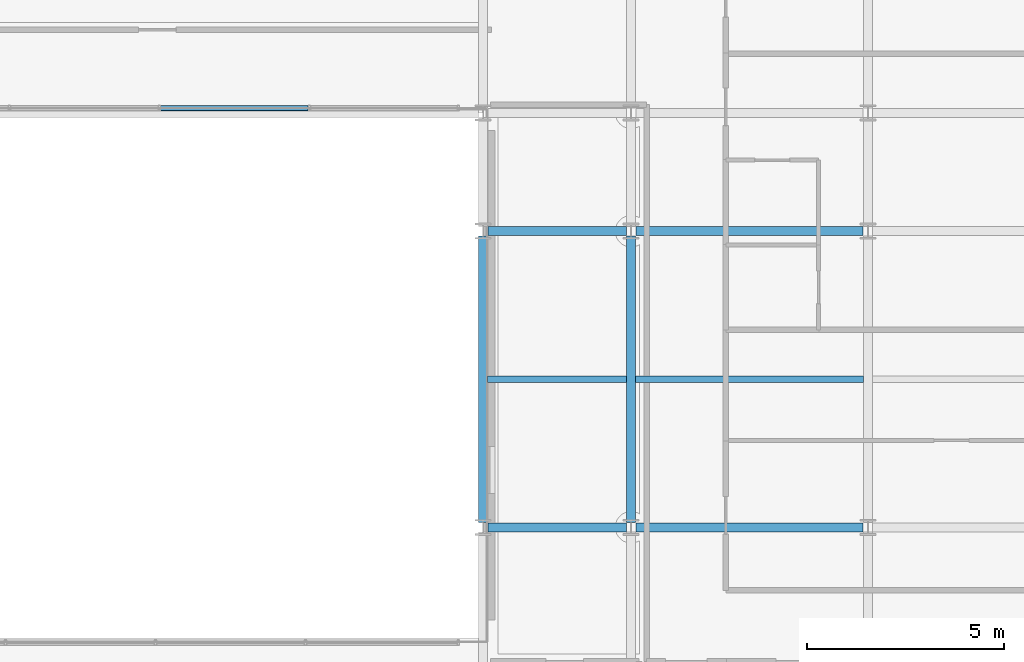
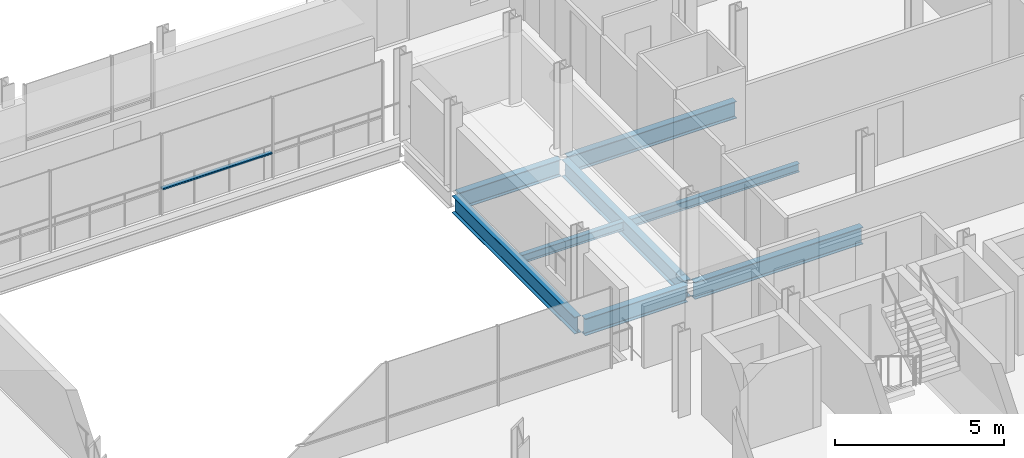
# One storey, part 18 of 40: 8 beams, 1 member, 1 element without a shape of its own.
"""IFC4 building model written with IfcOpenShell, lengths in metres."""

import ifcopenshell
import ifcopenshell.guid

model = None  # the IFC model being written
_history = None  # IfcOwnerHistory: only IFC2X3 demands one
_inside = {}  # id of a spatial element -> (the spatial element, [elements in it])
_under = {}  # id of a project, library or spatial element -> (it, [spatial elements below it])
_declared = {}  # id of a project -> (the project, [libraries it declares])
_typed = {}  # id of a type object -> (the type object, [elements of that type])
_made_of = {}  # id of a material, layer set ... -> (it, [elements and type objects made of it])


def new_model(schema):
    """Start an empty IFC model of exactly this schema.

    Asked for "IFC4X3", IfcOpenShell would pick the latest addendum, in which some entities
    have other attributes; the version numbers below select the first issue.
    IFC2X3 requires an IfcOwnerHistory on every rooted entity: one is made here for all.
    """
    global model, _history
    if schema == "IFC4X3":
        model = ifcopenshell.file(schema_version=(4, 3, 0, 0))
    else:
        model = ifcopenshell.file(schema=schema)
    _inside.clear()
    _under.clear()
    _declared.clear()
    _typed.clear()
    _made_of.clear()
    _history = None
    if model.schema == "IFC2X3":
        org = make("IfcOrganization", Name="unknown")
        user = make(
            "IfcPersonAndOrganization",
            ThePerson=make("IfcPerson", FamilyName="unknown"),
            TheOrganization=org,
        )
        app = make(
            "IfcApplication",
            ApplicationDeveloper=org,
            Version="unknown",
            ApplicationFullName="unknown",
            ApplicationIdentifier="unknown",
        )
        _history = make(
            "IfcOwnerHistory",
            OwningUser=user,
            OwningApplication=app,
            ChangeAction="ADDED",
            CreationDate=0,
        )
    return model


def make(cls, **values):
    """One entity of the class cls with the attributes given. An attribute that is None is left unset."""
    return model.create_entity(
        cls, **{name: value for name, value in values.items() if value is not None}
    )


def rooted(cls, **values):
    """An entity with a GlobalId (a new one), such as an element, a storey or a relation."""
    return make(cls, GlobalId=ifcopenshell.guid.new(), OwnerHistory=_history, **values)


def si_unit(unit_type, name, prefix=None):
    """IfcSIUnit, for example si_unit("LENGTHUNIT", "METRE", prefix="MILLI")."""
    return make("IfcSIUnit", UnitType=unit_type, Prefix=prefix, Name=name)


def assignment(units):
    """IfcUnitAssignment: the units of a project."""
    return None if units is None else make("IfcUnitAssignment", Units=units)


def point(xyz):
    """IfcCartesianPoint."""
    return None if xyz is None else make("IfcCartesianPoint", Coordinates=xyz)


def direction(xyz):
    """IfcDirection."""
    return None if xyz is None else make("IfcDirection", DirectionRatios=xyz)


def frame(location, z_axis=None, x_axis=None):
    """IfcAxis2Placement3D, a coordinate frame: its origin and axes. An axis left out is left unset."""
    return make(
        "IfcAxis2Placement3D",
        Location=point(location),
        Axis=direction(z_axis),
        RefDirection=direction(x_axis),
    )


def frame_2d(location, x_axis=None):
    """IfcAxis2Placement2D, a coordinate frame in the plane: its origin and x axis."""
    return make(
        "IfcAxis2Placement2D", Location=point(location), RefDirection=direction(x_axis)
    )


def origin():
    """The frame at (0, 0, 0) with its axes left unset."""
    return frame((0.0, 0.0, 0.0))


def origin_2d():
    """The frame at (0, 0) in the plane with its x axis left unset."""
    return frame_2d((0.0, 0.0))


def place(relative_to, where):
    """IfcLocalPlacement: puts the frame where relative to a parent placement (None: the world)."""
    return make(
        "IfcLocalPlacement", PlacementRelTo=relative_to, RelativePlacement=where
    )


def context(
    kind, dimensions, precision=None, world=None, true_north=None, identifier=None
):
    """IfcGeometricRepresentationContext, for example the 3D "Model" context."""
    return make(
        "IfcGeometricRepresentationContext",
        ContextIdentifier=identifier,
        ContextType=kind,
        CoordinateSpaceDimension=dimensions,
        Precision=precision,
        WorldCoordinateSystem=world,
        TrueNorth=true_north,
    )


def subcontext(parent, identifier, kind, view, scale=None):
    """IfcGeometricRepresentationSubContext, for example "Body" below "Model"."""
    return make(
        "IfcGeometricRepresentationSubContext",
        ContextIdentifier=identifier,
        ContextType=kind,
        ParentContext=parent,
        TargetScale=scale,
        TargetView=view,
    )


def project(units=None, contexts=None):
    """IfcProject with its units and contexts."""
    return rooted(
        "IfcProject",
        Name="project",
        RepresentationContexts=contexts,
        UnitsInContext=assignment(units),
    )


def spatial(cls, under=None, at=None, **own):
    """A site, building, storey or space (cls), placed at a placement, below another one or the project."""
    s = rooted(cls, ObjectPlacement=at, **own)
    if under is not None:
        _under.setdefault(under.id(), (under, []))[1].append(s)
    return s


def profile(cls, at=None, kind="AREA", **sizes):
    """A parametric profile (cls). Its sizes go by their IFC names, for example OverallWidth=200.0."""
    return make(cls, ProfileType=kind, Position=at, **sizes)


def hollow_rectangle(**sizes):
    """IfcRectangleHollowProfileDef."""
    return profile("IfcRectangleHollowProfileDef", **sizes)


def i_section(**sizes):
    """IfcIShapeProfileDef."""
    return profile("IfcIShapeProfileDef", **sizes)


def extrude(swept, where, along, depth):
    """IfcExtrudedAreaSolid: the profile swept, set in the frame where, extruded along a direction by depth."""
    return make(
        "IfcExtrudedAreaSolid",
        SweptArea=swept,
        Position=where,
        ExtrudedDirection=direction(along),
        Depth=depth,
    )


def shape(context_of_items, identifier, shape_type, items):
    """IfcShapeRepresentation: the items that make up one representation, for example the "Body"."""
    return make(
        "IfcShapeRepresentation",
        ContextOfItems=context_of_items,
        RepresentationIdentifier=identifier,
        RepresentationType=shape_type,
        Items=items,
    )


def material(Name=None, Category=None):
    """IfcMaterial."""
    return make("IfcMaterial", Name=Name, Category=Category)


def layer(
    of_material, thickness, ventilated=None, Name=None, Category=None, Priority=None
):
    """IfcMaterialLayer: one layer of a wall or slab, of a material (None: an air gap)."""
    return make(
        "IfcMaterialLayer",
        Material=of_material,
        LayerThickness=thickness,
        IsVentilated=ventilated,
        Name=Name,
        Category=Category,
        Priority=Priority,
    )


def layer_set(layers, Name=None):
    """IfcMaterialLayerSet."""
    return make("IfcMaterialLayerSet", MaterialLayers=layers, LayerSetName=Name)


def material_profile(
    of_material, cross_section, Name=None, Category=None, Priority=None
):
    """IfcMaterialProfile: a cross section and its material."""
    return make(
        "IfcMaterialProfile",
        Name=Name,
        Material=of_material,
        Profile=cross_section,
        Priority=Priority,
        Category=Category,
    )


def profile_set(profiles, Name=None, composite=None):
    """IfcMaterialProfileSet."""
    return make(
        "IfcMaterialProfileSet",
        Name=Name,
        MaterialProfiles=profiles,
        CompositeProfile=composite,
    )


def made_of(thing, what):
    """Note that an element or type object is made of a material, layer set ...; save() writes the relation."""
    if what is not None:
        _made_of.setdefault(what.id(), (what, []))[1].append(thing)
    return thing


def type_object(cls, material=None, **own):
    """A type object (cls), such as IfcWallType, which elements share."""
    return made_of(rooted(cls, **own), material)


def element(
    cls,
    number,
    at=None,
    inside=None,
    cuts=None,
    type_object=None,
    material=None,
    context=None,
    identifier="Body",
    shape_type=None,
    held_by="IfcProductDefinitionShape",
    body=None,
    shapes=None,
    **own,
):
    """One element of the class cls, such as IfcWall. Its Tag is "e" and its number.

    at: its placement. inside: the storey or other place that contains it. cuts: it is an
    opening in that element (IfcRelVoidsElement). A single representation is given by context,
    identifier, shape_type and body (its items); several are given by shapes. held_by: the class
    of the entity that holds the representations. save() writes the other relations.
    """
    e = rooted(cls, Tag="e%d" % number, ObjectPlacement=at, **own)
    if body is not None:
        shapes = [shape(context, identifier, shape_type, body)]
    if shapes is not None:
        e.Representation = make(held_by, Representations=shapes)
    if inside is not None:
        _inside.setdefault(inside.id(), (inside, []))[1].append(e)
    if cuts is not None:
        rooted(
            "IfcRelVoidsElement", RelatingBuildingElement=cuts, RelatedOpeningElement=e
        )
    if type_object is not None:
        _typed.setdefault(type_object.id(), (type_object, []))[1].append(e)
    return made_of(e, material)


def aggregate(whole, parts):
    """IfcRelAggregates: a whole, such as a stair, and the parts it consists of."""
    return rooted("IfcRelAggregates", RelatingObject=whole, RelatedObjects=parts)


def save(model, path):
    """Write the relations noted so far, then the file.

    IfcRelAggregates (storeys below a building ...), IfcRelContainedInSpatialStructure (elements
    in a storey), IfcRelDefinesByType, IfcRelAssociatesMaterial and IfcRelDeclares: one each for
    every whole, place, type object, material and project.
    """
    for whole, parts in _under.values():
        aggregate(whole, parts)
    for where, things in _inside.values():
        rooted(
            "IfcRelContainedInSpatialStructure",
            RelatedElements=things,
            RelatingStructure=where,
        )
    for kind, things in _typed.values():
        rooted("IfcRelDefinesByType", RelatedObjects=things, RelatingType=kind)
    for what, things in _made_of.values():
        rooted("IfcRelAssociatesMaterial", RelatedObjects=things, RelatingMaterial=what)
    for by, libraries in _declared.values():
        rooted("IfcRelDeclares", RelatingContext=by, RelatedDefinitions=libraries)
    model.write(path)


model = new_model("IFC4")

# Units and contexts
model_context = context("Model", 3, precision=1e-05, world=origin(), true_north=direction((0.0, 1.0)))
body_context = subcontext(model_context, "Body", "Model", "MODEL_VIEW")
ifc_project = project(units=[si_unit("LENGTHUNIT", "METRE"), si_unit("AREAUNIT", "SQUARE_METRE"), si_unit("VOLUMEUNIT", "CUBIC_METRE"), si_unit("PLANEANGLEUNIT", "RADIAN"), si_unit("MASSUNIT", "GRAM", prefix="KILO")], contexts=[model_context])

# Site, building, storey
site_placement = place(None, origin())
site = spatial("IfcSite", under=ifc_project, at=site_placement, CompositionType="ELEMENT")
building_placement = place(site_placement, origin())
building = spatial("IfcBuilding", under=site, at=building_placement, Name="Brevholm Reach", CompositionType="ELEMENT")
storey_placement = place(building_placement, frame((0.0, 0.0, 148.0)))
storey = spatial("IfcBuildingStorey", under=building, at=storey_placement, Name="L44", CompositionType="ELEMENT", Elevation=148.0)

# Beams
ifc_material_1 = material(Name="Structural Steel S355J2", Category="steel")
ifc_material_profile_1 = material_profile(ifc_material_1, i_section(OverallWidth=0.1650390625, OverallDepth=0.303466796875, WebThickness=0.006103515625, FlangeThickness=0.01025390625, FilletRadius=0.0087890625, at=origin_2d()), Name="UKB 305x165x40")
ifc_profile_set_1 = profile_set([ifc_material_profile_1], Name="Structural Steel S355J2")
beam_type_1 = type_object("IfcBeamType", Name="BM-B305", PredefinedType="BEAM", material=ifc_profile_set_1)
beam_1_placement = place(storey_placement, frame((38.364501953125, 19.75, -0.37158203125), z_axis=(1.0, 0.0, 0.0), x_axis=(0.0, 1.0, 0.0)))
element("IfcBeam", 1, at=beam_1_placement, inside=storey, type_object=beam_type_1, Name="L44 Composite Secondary Floor Beam", PredefinedType="BEAM", context=body_context, shape_type="SweptSolid", body=[
    extrude(i_section(OverallWidth=0.1650390625, OverallDepth=0.303466796875, WebThickness=0.006103515625, FlangeThickness=0.01025390625, FilletRadius=0.0087890625, at=origin_2d()), origin(), (0.0, 0.0, 1.0), 3.52099609375),
])
beam_2_placement = place(storey_placement, frame((42.114501953125, 19.75, -0.37158203125), z_axis=(1.0, 0.0, 0.0), x_axis=(0.0, 1.0, 0.0)))
element("IfcBeam", 2, at=beam_2_placement, inside=storey, type_object=beam_type_1, Name="L44 Composite Secondary Floor Beam", PredefinedType="BEAM", context=body_context, shape_type="SweptSolid", body=[
    extrude(i_section(OverallWidth=0.1650390625, OverallDepth=0.303466796875, WebThickness=0.006103515625, FlangeThickness=0.01025390625, FilletRadius=0.0087890625, at=origin_2d()), origin(), (0.0, 0.0, 1.0), 5.77099609375),
])
ifc_material_2 = material(Name="Structural Steel S355J2", Category="steel")
ifc_material_profile_2 = material_profile(ifc_material_2, i_section(OverallWidth=0.22900390625, OverallDepth=0.6123046875, WebThickness=0.011962890625, FlangeThickness=0.01953125, FilletRadius=0.0126953125, at=origin_2d()), Name="UKB 610x229x125")
ifc_profile_set_2 = profile_set([ifc_material_profile_2], Name="Structural Steel S355J2")
beam_type_2 = type_object("IfcBeamType", Name="BM-SP610", PredefinedType="SPANDREL", material=ifc_profile_set_2)
beam_3_placement = place(storey_placement, frame((38.3701171875, 16.0, -0.526123046875), z_axis=(1.0, 0.0, 0.0), x_axis=(0.0, 1.0, 0.0)))
element("IfcBeam", 3, at=beam_3_placement, inside=storey, type_object=beam_type_2, Name="L44 SP-01 Framing Beam", PredefinedType="SPANDREL", context=body_context, shape_type="SweptSolid", body=[
    extrude(i_section(OverallWidth=0.22900390625, OverallDepth=0.6123046875, WebThickness=0.011962890625, FlangeThickness=0.01953125, FilletRadius=0.0126953125, at=origin_2d()), origin(), (0.0, 0.0, 1.0), 3.509765625),
])
beam_4_placement = place(storey_placement, frame((42.1201171875, 16.0, -0.526123046875), z_axis=(1.0, 0.0, 0.0), x_axis=(0.0, 1.0, 0.0)))
element("IfcBeam", 4, at=beam_4_placement, inside=storey, type_object=beam_type_2, Name="L44 SP-01 Framing Beam", PredefinedType="SPANDREL", context=body_context, shape_type="SweptSolid", body=[
    extrude(i_section(OverallWidth=0.22900390625, OverallDepth=0.6123046875, WebThickness=0.011962890625, FlangeThickness=0.01953125, FilletRadius=0.0126953125, at=origin_2d()), origin(), (0.0, 0.0, 1.0), 5.759765625),
])
beam_5_placement = place(storey_placement, frame((38.3701171875, 23.5, -0.526123046875), z_axis=(1.0, 0.0, 0.0), x_axis=(0.0, 1.0, 0.0)))
element("IfcBeam", 5, at=beam_5_placement, inside=storey, type_object=beam_type_2, Name="L44 SP-01 Framing Beam", PredefinedType="SPANDREL", context=body_context, shape_type="SweptSolid", body=[
    extrude(i_section(OverallWidth=0.22900390625, OverallDepth=0.6123046875, WebThickness=0.011962890625, FlangeThickness=0.01953125, FilletRadius=0.0126953125, at=origin_2d()), origin(), (0.0, 0.0, 1.0), 3.509765625),
])
beam_6_placement = place(storey_placement, frame((42.1201171875, 23.5, -0.526123046875), z_axis=(1.0, 0.0, 0.0), x_axis=(0.0, 1.0, 0.0)))
element("IfcBeam", 6, at=beam_6_placement, inside=storey, type_object=beam_type_2, Name="L44 SP-01 Framing Beam", PredefinedType="SPANDREL", context=body_context, shape_type="SweptSolid", body=[
    extrude(i_section(OverallWidth=0.22900390625, OverallDepth=0.6123046875, WebThickness=0.011962890625, FlangeThickness=0.01953125, FilletRadius=0.0126953125, at=origin_2d()), origin(), (0.0, 0.0, 1.0), 5.759765625),
])
for number, where, z_axis, x_axis, name in (
    (7, (38.25, 16.1201171875, -0.526123046875), (0.0, 1.0, 0.0), (-1.0, 0.0, 0.0), "L44 SP-01 Framing Beam"),
    (8, (42.0, 16.1201171875, -0.526123046875), (0.0, 1.0, 0.0), (-1.0, 0.0, 0.0), "L44 SP-01 Framing Beam"),
):
    element("IfcBeam", number, at=place(storey_placement, frame(where, z_axis=z_axis, x_axis=x_axis)), inside=storey, type_object=beam_type_2, Name=name, PredefinedType="SPANDREL", context=body_context, shape_type="SweptSolid", body=[
        extrude(i_section(OverallWidth=0.22900390625, OverallDepth=0.6123046875, WebThickness=0.011962890625, FlangeThickness=0.01953125, FilletRadius=0.0126953125, at=origin_2d()), origin(), (0.0, 0.0, 1.0), 7.259765625),
    ])

# Curtain wall, member
ifc_material_3 = material(Name="Dark Anodised Aluminium 6063-T6 and Solar-Control Glass", Category="aluminium")
ifc_layer = layer(ifc_material_3, 0.139892578125)
ifc_layer_set = layer_set([ifc_layer], Name="Dark Anodised Aluminium 6063-T6 and Solar-Control Glass")
curtain_wall_type = type_object("IfcCurtainWallType", Name="CW-02", PredefinedType="NOTDEFINED", material=ifc_layer_set)
curtain_wall_placement = place(storey_placement, origin())
curtain_wall = element("IfcCurtainWall", 9, at=curtain_wall_placement, inside=storey, type_object=curtain_wall_type, Name="L44 Curtain Wall CW-02", PredefinedType="NOTDEFINED")
ifc_material_4 = material(Name="Dark Anodised Aluminium 6063-T6", Category="aluminium")
ifc_material_profile_3 = material_profile(ifc_material_4, hollow_rectangle(XDim=0.06005859375, YDim=0.139892578125, WallThickness=0.0048828125, InnerFilletRadius=0.0048828125, OuterFilletRadius=0.010009765625, at=origin_2d()), Name="RHS 140x60x5")
ifc_profile_set_3 = profile_set([ifc_material_profile_3], Name="Dark Anodised Aluminium 6063-T6")
member_type = type_object("IfcMemberType", Name="CWT-140", PredefinedType="NOTDEFINED", material=ifc_profile_set_3)
member_placement = place(storey_placement, frame((33.820068359375, 26.6201171875, 0.89990234375), z_axis=(-1.0, 0.0, 0.0), x_axis=(0.0, 0.0, 1.0)))
member = element("IfcMember", 10, at=member_placement, type_object=member_type, Name="CT-140 Transom 2.1", ObjectType="TRANSOM", PredefinedType="USERDEFINED", context=body_context, shape_type="SweptSolid", body=[
    extrude(hollow_rectangle(XDim=0.06005859375, YDim=0.139892578125, WallThickness=0.0048828125, InnerFilletRadius=0.0048828125, OuterFilletRadius=0.010009765625, at=origin_2d()), origin(), (0.0, 0.0, 1.0), 3.739990234375),
])
aggregate(curtain_wall, [member])

save(model, "model.ifc")
